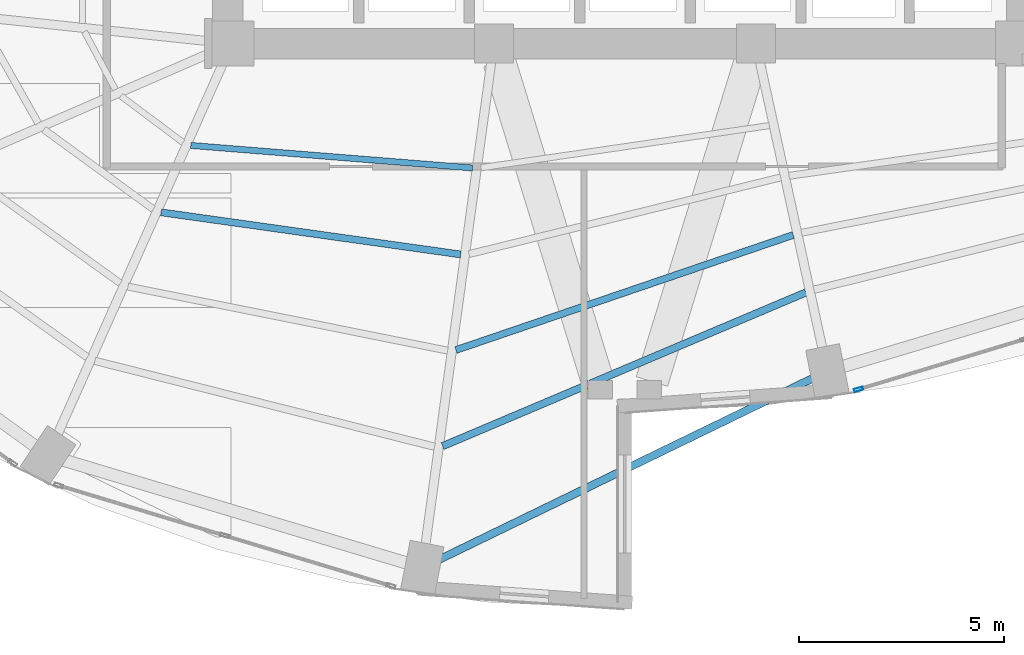
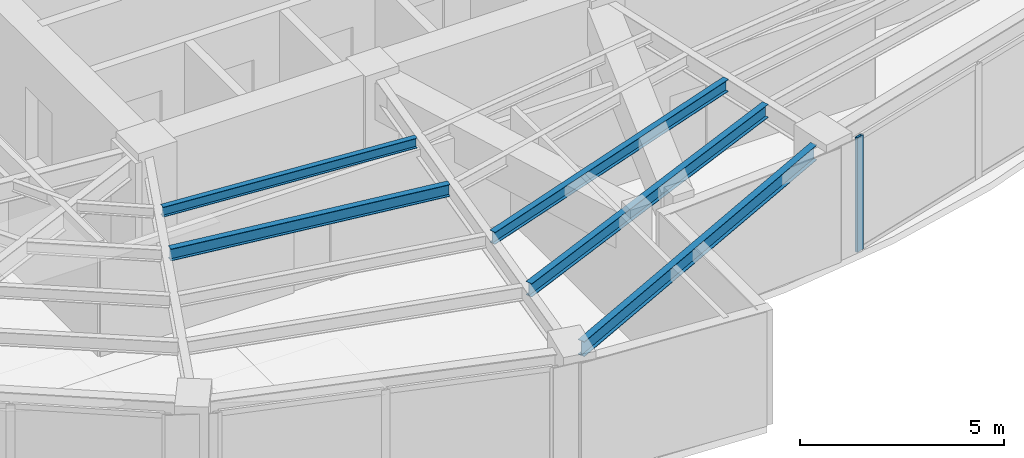
# One storey, part 6 of 23: 5 beams, 1 member, 1 element without a shape of its own.
"""IFC4 building model written with IfcOpenShell, lengths in metres."""

import ifcopenshell
import ifcopenshell.guid

model = None  # the IFC model being written
_history = None  # IfcOwnerHistory: only IFC2X3 demands one
_inside = {}  # id of a spatial element -> (the spatial element, [elements in it])
_under = {}  # id of a project, library or spatial element -> (it, [spatial elements below it])
_declared = {}  # id of a project -> (the project, [libraries it declares])
_typed = {}  # id of a type object -> (the type object, [elements of that type])
_made_of = {}  # id of a material, layer set ... -> (it, [elements and type objects made of it])


def new_model(schema):
    """Start an empty IFC model of exactly this schema.

    Asked for "IFC4X3", IfcOpenShell would pick the latest addendum, in which some entities
    have other attributes; the version numbers below select the first issue.
    IFC2X3 requires an IfcOwnerHistory on every rooted entity: one is made here for all.
    """
    global model, _history
    if schema == "IFC4X3":
        model = ifcopenshell.file(schema_version=(4, 3, 0, 0))
    else:
        model = ifcopenshell.file(schema=schema)
    _inside.clear()
    _under.clear()
    _declared.clear()
    _typed.clear()
    _made_of.clear()
    _history = None
    if model.schema == "IFC2X3":
        org = make("IfcOrganization", Name="unknown")
        user = make(
            "IfcPersonAndOrganization",
            ThePerson=make("IfcPerson", FamilyName="unknown"),
            TheOrganization=org,
        )
        app = make(
            "IfcApplication",
            ApplicationDeveloper=org,
            Version="unknown",
            ApplicationFullName="unknown",
            ApplicationIdentifier="unknown",
        )
        _history = make(
            "IfcOwnerHistory",
            OwningUser=user,
            OwningApplication=app,
            ChangeAction="ADDED",
            CreationDate=0,
        )
    return model


def make(cls, **values):
    """One entity of the class cls with the attributes given. An attribute that is None is left unset."""
    return model.create_entity(
        cls, **{name: value for name, value in values.items() if value is not None}
    )


def rooted(cls, **values):
    """An entity with a GlobalId (a new one), such as an element, a storey or a relation."""
    return make(cls, GlobalId=ifcopenshell.guid.new(), OwnerHistory=_history, **values)


def si_unit(unit_type, name, prefix=None):
    """IfcSIUnit, for example si_unit("LENGTHUNIT", "METRE", prefix="MILLI")."""
    return make("IfcSIUnit", UnitType=unit_type, Prefix=prefix, Name=name)


def assignment(units):
    """IfcUnitAssignment: the units of a project."""
    return None if units is None else make("IfcUnitAssignment", Units=units)


def point(xyz):
    """IfcCartesianPoint."""
    return None if xyz is None else make("IfcCartesianPoint", Coordinates=xyz)


def direction(xyz):
    """IfcDirection."""
    return None if xyz is None else make("IfcDirection", DirectionRatios=xyz)


def frame(location, z_axis=None, x_axis=None):
    """IfcAxis2Placement3D, a coordinate frame: its origin and axes. An axis left out is left unset."""
    return make(
        "IfcAxis2Placement3D",
        Location=point(location),
        Axis=direction(z_axis),
        RefDirection=direction(x_axis),
    )


def frame_2d(location, x_axis=None):
    """IfcAxis2Placement2D, a coordinate frame in the plane: its origin and x axis."""
    return make(
        "IfcAxis2Placement2D", Location=point(location), RefDirection=direction(x_axis)
    )


def origin():
    """The frame at (0, 0, 0) with its axes left unset."""
    return frame((0.0, 0.0, 0.0))


def origin_2d():
    """The frame at (0, 0) in the plane with its x axis left unset."""
    return frame_2d((0.0, 0.0))


def place(relative_to, where):
    """IfcLocalPlacement: puts the frame where relative to a parent placement (None: the world)."""
    return make(
        "IfcLocalPlacement", PlacementRelTo=relative_to, RelativePlacement=where
    )


def context(
    kind, dimensions, precision=None, world=None, true_north=None, identifier=None
):
    """IfcGeometricRepresentationContext, for example the 3D "Model" context."""
    return make(
        "IfcGeometricRepresentationContext",
        ContextIdentifier=identifier,
        ContextType=kind,
        CoordinateSpaceDimension=dimensions,
        Precision=precision,
        WorldCoordinateSystem=world,
        TrueNorth=true_north,
    )


def subcontext(parent, identifier, kind, view, scale=None):
    """IfcGeometricRepresentationSubContext, for example "Body" below "Model"."""
    return make(
        "IfcGeometricRepresentationSubContext",
        ContextIdentifier=identifier,
        ContextType=kind,
        ParentContext=parent,
        TargetScale=scale,
        TargetView=view,
    )


def project(units=None, contexts=None):
    """IfcProject with its units and contexts."""
    return rooted(
        "IfcProject",
        Name="project",
        RepresentationContexts=contexts,
        UnitsInContext=assignment(units),
    )


def spatial(cls, under=None, at=None, **own):
    """A site, building, storey or space (cls), placed at a placement, below another one or the project."""
    s = rooted(cls, ObjectPlacement=at, **own)
    if under is not None:
        _under.setdefault(under.id(), (under, []))[1].append(s)
    return s


def profile(cls, at=None, kind="AREA", **sizes):
    """A parametric profile (cls). Its sizes go by their IFC names, for example OverallWidth=200.0."""
    return make(cls, ProfileType=kind, Position=at, **sizes)


def hollow_rectangle(**sizes):
    """IfcRectangleHollowProfileDef."""
    return profile("IfcRectangleHollowProfileDef", **sizes)


def i_section(**sizes):
    """IfcIShapeProfileDef."""
    return profile("IfcIShapeProfileDef", **sizes)


def extrude(swept, where, along, depth):
    """IfcExtrudedAreaSolid: the profile swept, set in the frame where, extruded along a direction by depth."""
    return make(
        "IfcExtrudedAreaSolid",
        SweptArea=swept,
        Position=where,
        ExtrudedDirection=direction(along),
        Depth=depth,
    )


def shape(context_of_items, identifier, shape_type, items):
    """IfcShapeRepresentation: the items that make up one representation, for example the "Body"."""
    return make(
        "IfcShapeRepresentation",
        ContextOfItems=context_of_items,
        RepresentationIdentifier=identifier,
        RepresentationType=shape_type,
        Items=items,
    )


def material(Name=None, Category=None):
    """IfcMaterial."""
    return make("IfcMaterial", Name=Name, Category=Category)


def layer(
    of_material, thickness, ventilated=None, Name=None, Category=None, Priority=None
):
    """IfcMaterialLayer: one layer of a wall or slab, of a material (None: an air gap)."""
    return make(
        "IfcMaterialLayer",
        Material=of_material,
        LayerThickness=thickness,
        IsVentilated=ventilated,
        Name=Name,
        Category=Category,
        Priority=Priority,
    )


def layer_set(layers, Name=None):
    """IfcMaterialLayerSet."""
    return make("IfcMaterialLayerSet", MaterialLayers=layers, LayerSetName=Name)


def material_profile(
    of_material, cross_section, Name=None, Category=None, Priority=None
):
    """IfcMaterialProfile: a cross section and its material."""
    return make(
        "IfcMaterialProfile",
        Name=Name,
        Material=of_material,
        Profile=cross_section,
        Priority=Priority,
        Category=Category,
    )


def profile_set(profiles, Name=None, composite=None):
    """IfcMaterialProfileSet."""
    return make(
        "IfcMaterialProfileSet",
        Name=Name,
        MaterialProfiles=profiles,
        CompositeProfile=composite,
    )


def made_of(thing, what):
    """Note that an element or type object is made of a material, layer set ...; save() writes the relation."""
    if what is not None:
        _made_of.setdefault(what.id(), (what, []))[1].append(thing)
    return thing


def type_object(cls, material=None, **own):
    """A type object (cls), such as IfcWallType, which elements share."""
    return made_of(rooted(cls, **own), material)


def element(
    cls,
    number,
    at=None,
    inside=None,
    cuts=None,
    type_object=None,
    material=None,
    context=None,
    identifier="Body",
    shape_type=None,
    held_by="IfcProductDefinitionShape",
    body=None,
    shapes=None,
    **own,
):
    """One element of the class cls, such as IfcWall. Its Tag is "e" and its number.

    at: its placement. inside: the storey or other place that contains it. cuts: it is an
    opening in that element (IfcRelVoidsElement). A single representation is given by context,
    identifier, shape_type and body (its items); several are given by shapes. held_by: the class
    of the entity that holds the representations. save() writes the other relations.
    """
    e = rooted(cls, Tag="e%d" % number, ObjectPlacement=at, **own)
    if body is not None:
        shapes = [shape(context, identifier, shape_type, body)]
    if shapes is not None:
        e.Representation = make(held_by, Representations=shapes)
    if inside is not None:
        _inside.setdefault(inside.id(), (inside, []))[1].append(e)
    if cuts is not None:
        rooted(
            "IfcRelVoidsElement", RelatingBuildingElement=cuts, RelatedOpeningElement=e
        )
    if type_object is not None:
        _typed.setdefault(type_object.id(), (type_object, []))[1].append(e)
    return made_of(e, material)


def aggregate(whole, parts):
    """IfcRelAggregates: a whole, such as a stair, and the parts it consists of."""
    return rooted("IfcRelAggregates", RelatingObject=whole, RelatedObjects=parts)


def save(model, path):
    """Write the relations noted so far, then the file.

    IfcRelAggregates (storeys below a building ...), IfcRelContainedInSpatialStructure (elements
    in a storey), IfcRelDefinesByType, IfcRelAssociatesMaterial and IfcRelDeclares: one each for
    every whole, place, type object, material and project.
    """
    for whole, parts in _under.values():
        aggregate(whole, parts)
    for where, things in _inside.values():
        rooted(
            "IfcRelContainedInSpatialStructure",
            RelatedElements=things,
            RelatingStructure=where,
        )
    for kind, things in _typed.values():
        rooted("IfcRelDefinesByType", RelatedObjects=things, RelatingType=kind)
    for what, things in _made_of.values():
        rooted("IfcRelAssociatesMaterial", RelatedObjects=things, RelatingMaterial=what)
    for by, libraries in _declared.values():
        rooted("IfcRelDeclares", RelatingContext=by, RelatedDefinitions=libraries)
    model.write(path)


model = new_model("IFC4")

# Units and contexts
model_context = context("Model", 3, precision=1e-05, world=origin(), true_north=direction((0.0, 1.0)))
body_context = subcontext(model_context, "Body", "Model", "MODEL_VIEW")
ifc_project = project(units=[si_unit("LENGTHUNIT", "METRE"), si_unit("AREAUNIT", "SQUARE_METRE"), si_unit("VOLUMEUNIT", "CUBIC_METRE"), si_unit("PLANEANGLEUNIT", "RADIAN"), si_unit("MASSUNIT", "GRAM", prefix="KILO")], contexts=[model_context])

# Site, building, storey
site_placement = place(None, origin())
site = spatial("IfcSite", under=ifc_project, at=site_placement, CompositionType="ELEMENT")
building_placement = place(site_placement, origin())
building = spatial("IfcBuilding", under=site, at=building_placement, Name="Lazwardi Medical Tower", CompositionType="ELEMENT")
storey_placement = place(building_placement, frame((0.0, 0.0, 92.68798828125)))
storey = spatial("IfcBuildingStorey", under=building, at=storey_placement, Name="L23", CompositionType="ELEMENT", Elevation=92.68798828125)

# Beams
ifc_material_1 = material(Name="Steel S355", Category="steel")
ifc_material_profile_1 = material_profile(ifc_material_1, i_section(OverallWidth=0.179931640625, OverallDepth=0.39990234375, WebThickness=0.008544921875, FlangeThickness=0.013427734375, at=origin_2d()), Name="IPE 400")
ifc_profile_set_1 = profile_set([ifc_material_profile_1], Name="Steel S355")
beam_type_1 = type_object("IfcBeamType", Name="BM-SJ-01", PredefinedType="JOIST", material=ifc_profile_set_1)
beam_1_placement = place(storey_placement, frame((31.550537109375, 10.571533203125, 3.22802734375), z_axis=(0.920947307957, 0.389687125739, 0.0), x_axis=(-0.389687125739, 0.920947307957, 0.0)))
element("IfcBeam", 1, at=beam_1_placement, inside=storey, type_object=beam_type_1, Name="Secondary joist SJ-01 R1 B16 L23", PredefinedType="JOIST", context=body_context, shape_type="SweptSolid", body=[
    extrude(i_section(OverallWidth=0.179931640625, OverallDepth=0.39990234375, WebThickness=0.008544921875, FlangeThickness=0.013427734375, at=origin_2d()), origin(), (0.0, 0.0, 1.0), 9.63134765625),
])
ifc_material_profile_2 = material_profile(ifc_material_1, i_section(OverallWidth=0.169921875, OverallDepth=0.360107421875, WebThickness=0.008056640625, FlangeThickness=0.0126953125, at=origin_2d()), Name="IPE 360")
ifc_profile_set_2 = profile_set([ifc_material_profile_2], Name="Steel S355")
beam_type_2 = type_object("IfcBeamType", Name="BM-SJ-02", PredefinedType="JOIST", material=ifc_profile_set_2)
beam_2_placement = place(storey_placement, frame((31.874267578125, 12.91796875, 3.248046875), z_axis=(0.946467154368, 0.322800132749, 0.0), x_axis=(-0.322800132749, 0.946467154368, 0.0)))
element("IfcBeam", 2, at=beam_2_placement, inside=storey, type_object=beam_type_2, Name="Secondary joist SJ-02 R2 B16 L23", PredefinedType="JOIST", context=body_context, shape_type="SweptSolid", body=[
    extrude(i_section(OverallWidth=0.169921875, OverallDepth=0.360107421875, WebThickness=0.008056640625, FlangeThickness=0.0126953125, at=origin_2d()), origin(), (0.0, 0.0, 1.0), 8.70458984375),
])
beam_3_placement = place(storey_placement, frame((24.67431640625, 16.281005859375, 3.248046875), z_axis=(0.990260920731, -0.139223952222, 0.0), x_axis=(0.139223952222, 0.990260920731, 0.0)))
element("IfcBeam", 3, at=beam_3_placement, inside=storey, type_object=beam_type_2, Name="Secondary joist SJ-02 R3 B15 L23", PredefinedType="JOIST", context=body_context, shape_type="SweptSolid", body=[
    extrude(i_section(OverallWidth=0.169921875, OverallDepth=0.360107421875, WebThickness=0.008056640625, FlangeThickness=0.0126953125, at=origin_2d()), origin(), (0.0, 0.0, 1.0), 7.3896484375),
])
ifc_material_profile_3 = material_profile(ifc_material_1, i_section(OverallWidth=0.14990234375, OverallDepth=0.300048828125, WebThickness=0.007080078125, FlangeThickness=0.0107421875, at=origin_2d()), Name="IPE 300")
ifc_profile_set_3 = profile_set([ifc_material_profile_3], Name="Steel S355")
beam_type_3 = type_object("IfcBeamType", Name="BM-SJ-03", PredefinedType="JOIST", material=ifc_profile_set_3)
beam_4_placement = place(storey_placement, frame((25.400390625, 17.914306640625, 3.278076171875), z_axis=(0.996816178299, -0.079733974445, 0.0), x_axis=(0.079733974445, 0.996816178299, 0.0)))
element("IfcBeam", 4, at=beam_4_placement, inside=storey, type_object=beam_type_3, Name="Secondary joist SJ-03 R4 B15 L23", PredefinedType="JOIST", context=body_context, shape_type="SweptSolid", body=[
    extrude(i_section(OverallWidth=0.14990234375, OverallDepth=0.300048828125, WebThickness=0.007080078125, FlangeThickness=0.0107421875, at=origin_2d()), origin(), (0.0, 0.0, 1.0), 6.901611328125),
])
ifc_material_profile_4 = material_profile(ifc_material_1, i_section(OverallWidth=0.18994140625, OverallDepth=0.449951171875, WebThickness=0.009521484375, FlangeThickness=0.0146484375, at=origin_2d()), Name="IPE 450")
ifc_profile_set_4 = profile_set([ifc_material_profile_4], Name="Steel S355")
beam_type_4 = type_object("IfcBeamType", Name="BM-SP-01", PredefinedType="SPANDREL", material=ifc_profile_set_4)
beam_5_placement = place(storey_placement, frame((31.42333984375, 7.781494140625, 3.203125), z_axis=(0.899653336227, 0.436604941125, 0.0), x_axis=(-0.436604941125, 0.899653336227, 0.0)))
element("IfcBeam", 5, at=beam_5_placement, inside=storey, type_object=beam_type_4, Name="Spandrel beam SP-01 B16 L23", PredefinedType="SPANDREL", context=body_context, shape_type="SweptSolid", body=[
    extrude(i_section(OverallWidth=0.18994140625, OverallDepth=0.449951171875, WebThickness=0.009521484375, FlangeThickness=0.0146484375, at=origin_2d()), origin(), (0.0, 0.0, 1.0), 10.17431640625),
])

# Curtain wall, member
ifc_material_2 = material(Name="Anodised bronze aluminium and solar control glazing", Category="aluminium")
ifc_layer = layer(ifc_material_2, 0.195068359375)
ifc_layer_set = layer_set([ifc_layer], Name="Anodised bronze aluminium and solar control glazing")
curtain_wall_type = type_object("IfcCurtainWallType", Name="CW-SYS-03", PredefinedType="NOTDEFINED", material=ifc_layer_set)
curtain_wall_placement = place(storey_placement, origin())
curtain_wall = element("IfcCurtainWall", 6, at=curtain_wall_placement, inside=storey, type_object=curtain_wall_type, Name="L23 Unitised bronze curtain wall CW-03", PredefinedType="NOTDEFINED")
ifc_material_3 = material(Name="Anodised bronze aluminium", Category="aluminium")
ifc_material_profile_5 = material_profile(ifc_material_3, hollow_rectangle(XDim=0.074951171875, YDim=0.219970703125, WallThickness=0.00390625, at=origin_2d()), Name="ALU-MULLION 220x75x4")
ifc_profile_set_5 = profile_set([ifc_material_profile_5], Name="Anodised bronze aluminium")
member_type = type_object("IfcMemberType", Name="CW-MUL-01", PredefinedType="MULLION", material=ifc_profile_set_5)
member_placement = place(storey_placement, frame((41.710205078125, 11.9599609375, 0.0), z_axis=(0.0, 0.0, 1.0), x_axis=(-0.28937381157, 0.957216170558, 0.0)))
member = element("IfcMember", 7, at=member_placement, type_object=member_type, Name="CW-03 mullion 1", PredefinedType="MULLION", context=body_context, shape_type="SweptSolid", body=[
    extrude(hollow_rectangle(XDim=0.074951171875, YDim=0.219970703125, WallThickness=0.00390625, at=origin_2d()), origin(), (0.0, 0.0, 1.0), 3.427978515625),
])
aggregate(curtain_wall, [member])

save(model, "model.ifc")
